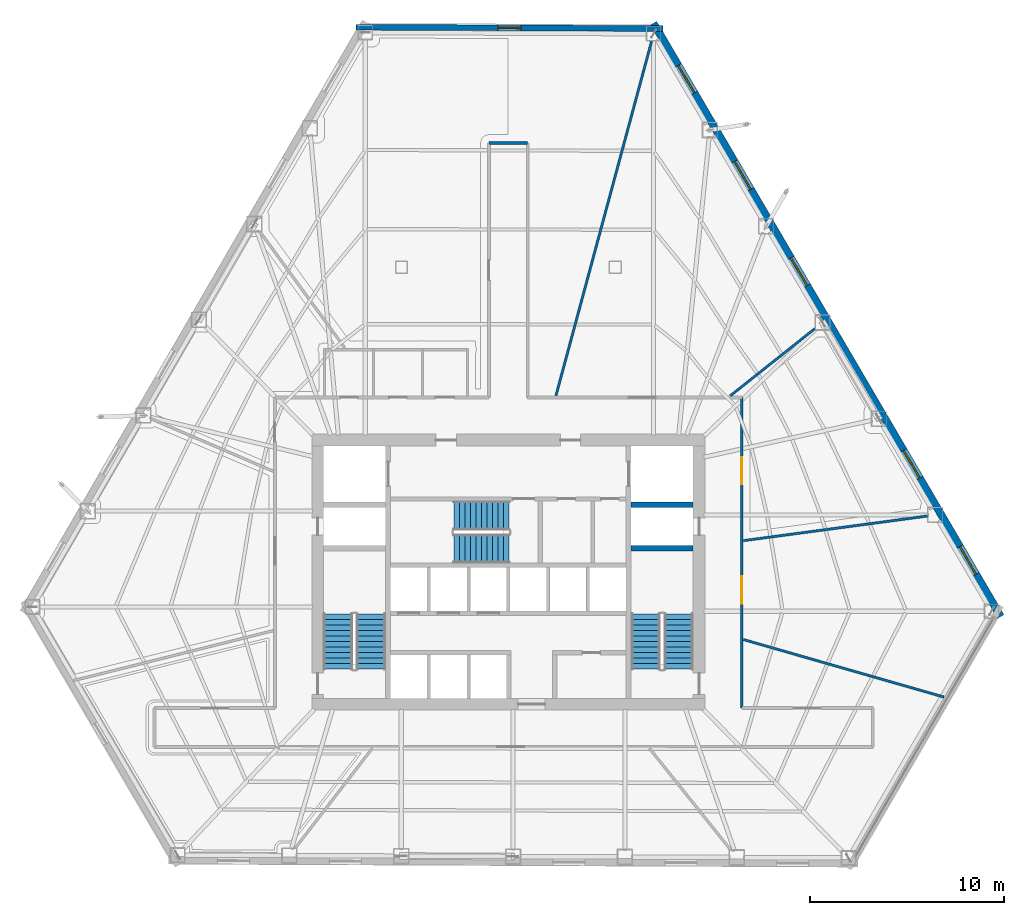
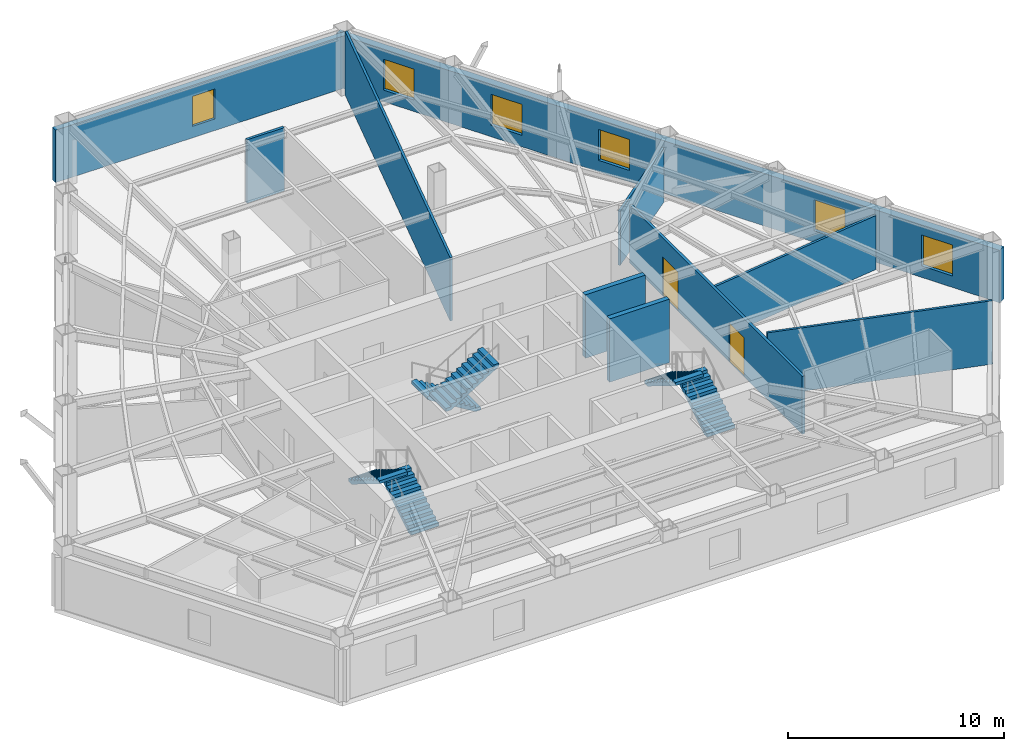
# One storey, part 11 of 14: 10 walls, 6 stair flights, 6 windows, 2 doors, 8 openings, 3 elements without a shape of their own.
"""IFC4 building model written with IfcOpenShell, lengths in metres."""

from ifc_helpers import new_model, si_unit, direction, frame, frame_2d, origin, place, context, subcontext, project, spatial, polyline, rectangle, outline, extrude, material, layer, layer_set, type_object, element, fill, aggregate, save


model = new_model("IFC4")

# Units and contexts
model_context = context("Model", 3, precision=1e-05, world=origin(), true_north=direction((0.0, 1.0)))
body_context = subcontext(model_context, "Body", "Model", "MODEL_VIEW")
ifc_project = project(units=[si_unit("LENGTHUNIT", "METRE"), si_unit("AREAUNIT", "SQUARE_METRE"), si_unit("VOLUMEUNIT", "CUBIC_METRE"), si_unit("PLANEANGLEUNIT", "RADIAN"), si_unit("MASSUNIT", "GRAM", prefix="KILO")], contexts=[model_context])

# Site, building, storey
site_placement = place(None, origin())
site = spatial("IfcSite", under=ifc_project, at=site_placement, CompositionType="ELEMENT")
building_placement = place(site_placement, origin())
building = spatial("IfcBuilding", under=site, at=building_placement, Name="Kavelnor Concourse Tower", CompositionType="ELEMENT")
storey_placement = place(building_placement, frame((0.0, 0.0, 52.199951171875)))
storey = spatial("IfcBuildingStorey", under=building, at=storey_placement, Name="L13", CompositionType="ELEMENT", Elevation=52.199951171875)

# Wall, opening, window
ifc_material_1 = material(Name="Buff ironspot clay face brick masonry", Category="masonry")
ifc_layer_1 = layer(ifc_material_1, 0.300048828125, Name="Buff ironspot clay face brick masonry")
ifc_layer_set_1 = layer_set([ifc_layer_1], Name="Buff ironspot clay face brick masonry")
wall_type_1 = type_object("IfcWallType", Name="WL-EXT-BUFF-BRICK-FOLD-300", PredefinedType="STANDARD", material=ifc_layer_set_1)
wall_1_placement = place(storey_placement, frame((30.1572265625, 44.157470703125, 0.0), z_axis=(0.0, 0.0, 1.0), x_axis=(0.999990705999, -0.004311370487, 0.0)))
wall_1 = element("IfcWall", 1, at=wall_1_placement, inside=storey, type_object=wall_type_1, Name="L13 Exterior Brick Facade Wall E0", PredefinedType="STANDARD", context=body_context, shape_type="SweptSolid", body=[
    extrude(rectangle(XDim=15.799072265625, YDim=0.300048828125, at=frame_2d((7.8994140625, 0.0))), origin(), (0.0, 0.0, 1.0), 2.969970703125),
])
opening_1_placement = place(wall_1_placement, frame((7.299560546875, 0.0, 0.64990234375)))
opening_1 = element("IfcOpeningElement", 2, at=opening_1_placement, cuts=wall_1, Name="Opening W-05", PredefinedType="OPENING", context=body_context, shape_type="SweptSolid", body=[
    extrude(rectangle(XDim=1.199951171875, YDim=1.699951171875, at=frame_2d((0.60009765625, 0.85009765625))), frame((0.0, 0.16015625, 0.0), z_axis=(0.0, -1.0, 0.0), x_axis=(1.0, 0.0, 0.0)), (0.0, 0.0, 1.0), 0.320068359375),
])
ifc_material_2 = material(Name="Double low-E argon insulated glazing", Category="glass")
window_type_1 = type_object("IfcWindowType", Name="WIN-FOLD-1200", PartitioningType="SINGLE_PANEL", PredefinedType="WINDOW", material=ifc_material_2)
window_1_placement = place(opening_1_placement, origin())
window_1 = element("IfcWindow", 3, at=window_1_placement, inside=storey, type_object=window_type_1, Name="L13 Chamfer-Fold Facet Window C0", OverallHeight=1.699951171875, OverallWidth=1.199951171875, PartitioningType="SINGLE_PANEL", PredefinedType="WINDOW", context=body_context, shape_type="SweptSolid", body=[
    extrude(rectangle(XDim=1.199951171875, YDim=1.699951171875, at=frame_2d((0.60009765625, 0.85009765625))), frame((0.0, 0.030029296875, 0.0), z_axis=(0.0, -1.0, 0.0), x_axis=(1.0, 0.0, 0.0)), (0.0, 0.0, 1.0), 0.06005859375),
])
fill(opening_1, window_1)

# Wall, openings, windows
ifc_material_3 = material(Name="Red-ochre clay face brick masonry", Category="masonry")
ifc_layer_2 = layer(ifc_material_3, 0.3798828125, Name="Red-ochre clay face brick masonry")
ifc_layer_set_2 = layer_set([ifc_layer_2], Name="Red-ochre clay face brick masonry")
wall_type_2 = type_object("IfcWallType", Name="WL-EXT-RED-BRICK-PIER-380", PredefinedType="STANDARD", material=ifc_layer_set_2)
wall_2_placement = place(storey_placement, frame((45.474609375, 44.36669921875, 0.0), z_axis=(0.0, 0.0, 1.0), x_axis=(0.505110430219, -0.863054722068, 0.0)))
wall_2 = element("IfcWall", 4, at=wall_2_placement, inside=storey, type_object=wall_type_2, Name="L13 Exterior Brick Facade Wall E5", PredefinedType="STANDARD", context=body_context, shape_type="SweptSolid", body=[
    extrude(rectangle(XDim=35.4052734375, YDim=0.3798828125, at=frame_2d((17.70263671875, 0.0))), origin(), (0.0, 0.0, 1.0), 2.969970703125),
])
opening_2_placement = place(wall_2_placement, frame((31.229736328125, 0.0, 0.64990234375)))
opening_2 = element("IfcOpeningElement", 5, at=opening_2_placement, cuts=wall_2, Name="Opening W-01", PredefinedType="OPENING", context=body_context, shape_type="SweptSolid", body=[
    extrude(rectangle(XDim=1.64990234375, YDim=1.75, at=frame_2d((0.824951171875, 0.875))), frame((0.0, 0.199951171875, 0.0), z_axis=(0.0, -1.0, 0.0), x_axis=(1.0, 0.0, 0.0)), (0.0, 0.0, 1.0), 0.39990234375),
])
opening_3_placement = place(wall_2_placement, frame((25.48779296875, 0.0, 0.64990234375)))
opening_3 = element("IfcOpeningElement", 6, at=opening_3_placement, cuts=wall_2, Name="Opening W-01", PredefinedType="OPENING", context=body_context, shape_type="SweptSolid", body=[
    extrude(rectangle(XDim=1.64990234375, YDim=1.75, at=frame_2d((0.824951171875, 0.875))), frame((0.0, 0.199951171875, 0.0), z_axis=(0.0, -1.0, 0.0), x_axis=(1.0, 0.0, 0.0)), (0.0, 0.0, 1.0), 0.39990234375),
])
opening_4_placement = place(wall_2_placement, frame((14.00390625, 0.0, 0.64990234375)))
opening_4 = element("IfcOpeningElement", 7, at=opening_4_placement, cuts=wall_2, Name="Opening W-01", PredefinedType="OPENING", context=body_context, shape_type="SweptSolid", body=[
    extrude(rectangle(XDim=1.64990234375, YDim=1.75, at=frame_2d((0.824951171875, 0.875))), frame((0.0, 0.199951171875, 0.0), z_axis=(0.0, -1.0, 0.0), x_axis=(1.0, 0.0, 0.0)), (0.0, 0.0, 1.0), 0.39990234375),
])
opening_5_placement = place(wall_2_placement, frame((8.26171875, 0.0, 0.64990234375)))
opening_5 = element("IfcOpeningElement", 8, at=opening_5_placement, cuts=wall_2, Name="Opening W-01", PredefinedType="OPENING", context=body_context, shape_type="SweptSolid", body=[
    extrude(rectangle(XDim=1.64990234375, YDim=1.75, at=frame_2d((0.824951171875, 0.875))), frame((0.0, 0.199951171875, 0.0), z_axis=(0.0, -1.0, 0.0), x_axis=(1.0, 0.0, 0.0)), (0.0, 0.0, 1.0), 0.39990234375),
])
opening_6_placement = place(wall_2_placement, frame((2.52001953125, 0.0, 0.64990234375)))
opening_6 = element("IfcOpeningElement", 9, at=opening_6_placement, cuts=wall_2, Name="Opening W-01", PredefinedType="OPENING", context=body_context, shape_type="SweptSolid", body=[
    extrude(rectangle(XDim=1.64990234375, YDim=1.75, at=frame_2d((0.824951171875, 0.875))), frame((0.0, 0.199951171875, 0.0), z_axis=(0.0, -1.0, 0.0), x_axis=(1.0, 0.0, 0.0)), (0.0, 0.0, 1.0), 0.39990234375),
])
window_type_2 = type_object("IfcWindowType", Name="WIN-PIER-Z1-1800", PartitioningType="SINGLE_PANEL", PredefinedType="WINDOW", material=ifc_material_2)
window_2_placement = place(opening_2_placement, origin())
window_2 = element("IfcWindow", 10, at=window_2_placement, inside=storey, type_object=window_type_2, Name="L13 Deep-Set Brick Pier Window F2-B0", OverallHeight=1.75, OverallWidth=1.64990234375, PartitioningType="SINGLE_PANEL", PredefinedType="WINDOW", context=body_context, shape_type="SweptSolid", body=[
    extrude(rectangle(XDim=1.64990234375, YDim=1.75, at=frame_2d((0.824951171875, 0.875))), frame((0.0, 0.030029296875, 0.0), z_axis=(0.0, -1.0, 0.0), x_axis=(1.0, 0.0, 0.0)), (0.0, 0.0, 1.0), 0.06005859375),
])
fill(opening_2, window_2)
window_3_placement = place(opening_3_placement, origin())
window_3 = element("IfcWindow", 11, at=window_3_placement, inside=storey, type_object=window_type_2, Name="L13 Deep-Set Brick Pier Window F2-B1", OverallHeight=1.75, OverallWidth=1.64990234375, PartitioningType="SINGLE_PANEL", PredefinedType="WINDOW", context=body_context, shape_type="SweptSolid", body=[
    extrude(rectangle(XDim=1.64990234375, YDim=1.75, at=frame_2d((0.824951171875, 0.875))), frame((0.0, 0.030029296875, 0.0), z_axis=(0.0, -1.0, 0.0), x_axis=(1.0, 0.0, 0.0)), (0.0, 0.0, 1.0), 0.06005859375),
])
fill(opening_3, window_3)
window_4_placement = place(opening_4_placement, origin())
window_4 = element("IfcWindow", 12, at=window_4_placement, inside=storey, type_object=window_type_2, Name="L13 Deep-Set Brick Pier Window F2-B3", OverallHeight=1.75, OverallWidth=1.64990234375, PartitioningType="SINGLE_PANEL", PredefinedType="WINDOW", context=body_context, shape_type="SweptSolid", body=[
    extrude(rectangle(XDim=1.64990234375, YDim=1.75, at=frame_2d((0.824951171875, 0.875))), frame((0.0, 0.030029296875, 0.0), z_axis=(0.0, -1.0, 0.0), x_axis=(1.0, 0.0, 0.0)), (0.0, 0.0, 1.0), 0.06005859375),
])
fill(opening_4, window_4)
window_5_placement = place(opening_5_placement, origin())
window_5 = element("IfcWindow", 13, at=window_5_placement, inside=storey, type_object=window_type_2, Name="L13 Deep-Set Brick Pier Window F2-B4", OverallHeight=1.75, OverallWidth=1.64990234375, PartitioningType="SINGLE_PANEL", PredefinedType="WINDOW", context=body_context, shape_type="SweptSolid", body=[
    extrude(rectangle(XDim=1.64990234375, YDim=1.75, at=frame_2d((0.824951171875, 0.875))), frame((0.0, 0.030029296875, 0.0), z_axis=(0.0, -1.0, 0.0), x_axis=(1.0, 0.0, 0.0)), (0.0, 0.0, 1.0), 0.06005859375),
])
fill(opening_5, window_5)
window_6_placement = place(opening_6_placement, origin())
window_6 = element("IfcWindow", 14, at=window_6_placement, inside=storey, type_object=window_type_2, Name="L13 Deep-Set Brick Pier Window F2-B5", OverallHeight=1.75, OverallWidth=1.64990234375, PartitioningType="SINGLE_PANEL", PredefinedType="WINDOW", context=body_context, shape_type="SweptSolid", body=[
    extrude(rectangle(XDim=1.64990234375, YDim=1.75, at=frame_2d((0.824951171875, 0.875))), frame((0.0, 0.030029296875, 0.0), z_axis=(0.0, -1.0, 0.0), x_axis=(1.0, 0.0, 0.0)), (0.0, 0.0, 1.0), 0.06005859375),
])
fill(opening_6, window_6)

# Wall
ifc_material_4 = material(Name="Gypsum plasterboard on light-gauge steel studs", Category="steel")
ifc_layer_3 = layer(ifc_material_4, 0.14501953125, Name="Gypsum plasterboard on light-gauge steel studs")
ifc_layer_set_3 = layer_set([ifc_layer_3], Name="Gypsum plasterboard on light-gauge steel studs")
wall_type_3 = type_object("IfcWallType", Name="WL-INT-CORR-145", PredefinedType="PARTITIONING", material=ifc_layer_set_3)
wall_3_placement = place(storey_placement, frame((37.0, 38.199951171875, 0.0), z_axis=(0.0, 0.0, 1.0), x_axis=(1.0, 0.0, 0.0)))
element("IfcWall", 15, at=wall_3_placement, inside=storey, type_object=wall_type_3, Name="L13 Corridor Wall WL-L13-CR-05", PredefinedType="PARTITIONING", context=body_context, shape_type="SweptSolid", body=[
    extrude(rectangle(XDim=2.0, YDim=0.14501953125, at=frame_2d((1.0, 0.0))), origin(), (0.0, 0.0, 1.0), 3.590087890625),
])

# Wall, openings, doors
wall_4_placement = place(storey_placement, frame((50.02001953125, 25.10009765625, 0.0), z_axis=(0.0, 0.0, 1.0), x_axis=(0.0, -1.0, 0.0)))
wall_4 = element("IfcWall", 16, at=wall_4_placement, inside=storey, type_object=wall_type_3, Name="L13 Corridor Wall WL-L13-CR-08", PredefinedType="PARTITIONING", context=body_context, shape_type="SweptSolid", body=[
    extrude(rectangle(XDim=16.0, YDim=0.14501953125, at=frame_2d((8.0, 0.0))), origin(), (0.0, 0.0, 1.0), 3.278076171875),
])
opening_7_placement = place(wall_4_placement, frame((3.0751953125, 0.0, 0.0)))
opening_7 = element("IfcOpeningElement", 17, at=opening_7_placement, cuts=wall_4, Name="Opening SD-140", PredefinedType="OPENING", context=body_context, shape_type="SweptSolid", body=[
    extrude(rectangle(XDim=1.39990234375, YDim=2.199951171875, at=frame_2d((0.699951171875, 1.10009765625))), frame((0.0, 0.08251953125, 0.0), z_axis=(0.0, -1.0, 0.0), x_axis=(1.0, 0.0, 0.0)), (0.0, 0.0, 1.0), 0.1650390625),
])
opening_8_placement = place(wall_4_placement, frame((9.2236328125, 0.0, 0.0)))
opening_8 = element("IfcOpeningElement", 18, at=opening_8_placement, cuts=wall_4, Name="Opening SD-140", PredefinedType="OPENING", context=body_context, shape_type="SweptSolid", body=[
    extrude(rectangle(XDim=1.39990234375, YDim=2.199951171875, at=frame_2d((0.699951171875, 1.10009765625))), frame((0.0, 0.08251953125, 0.0), z_axis=(0.0, -1.0, 0.0), x_axis=(1.0, 0.0, 0.0)), (0.0, 0.0, 1.0), 0.1650390625),
])
ifc_material_5 = material(Name="Solid-core hardwood timber", Category="wood")
door_type = type_object("IfcDoorType", Name="DR-SUITE-ENTRY-1400", OperationType="NOTDEFINED", PredefinedType="DOOR", material=ifc_material_5)
door_1_placement = place(opening_7_placement, origin())
door_1 = element("IfcDoor", 19, at=door_1_placement, inside=storey, type_object=door_type, Name="L13 Technical Reference Library 01 Door", OperationType="SINGLE_SWING_LEFT", OverallHeight=2.199951171875, OverallWidth=1.39990234375, PredefinedType="DOOR", context=body_context, shape_type="SweptSolid", body=[
    extrude(rectangle(XDim=1.39990234375, YDim=2.199951171875, at=frame_2d((0.699951171875, 1.10009765625))), frame((0.0, 0.02490234375, 0.0), z_axis=(0.0, -1.0, 0.0), x_axis=(1.0, 0.0, 0.0)), (0.0, 0.0, 1.0), 0.050048828125),
])
fill(opening_7, door_1)
door_2_placement = place(opening_8_placement, origin())
door_2 = element("IfcDoor", 20, at=door_2_placement, inside=storey, type_object=door_type, Name="L13 Client Concierge 09 Door", OperationType="SINGLE_SWING_LEFT", OverallHeight=2.199951171875, OverallWidth=1.39990234375, PredefinedType="DOOR", context=body_context, shape_type="SweptSolid", body=[
    extrude(rectangle(XDim=1.39990234375, YDim=2.199951171875, at=frame_2d((0.699951171875, 1.10009765625))), frame((0.0, 0.02490234375, 0.0), z_axis=(0.0, -1.0, 0.0), x_axis=(1.0, 0.0, 0.0)), (0.0, 0.0, 1.0), 0.050048828125),
])
fill(opening_8, door_2)

# Walls
ifc_layer_4 = layer(ifc_material_4, 0.125, Name="Gypsum plasterboard on light-gauge steel studs")
ifc_layer_set_4 = layer_set([ifc_layer_4], Name="Gypsum plasterboard on light-gauge steel studs")
wall_type_4 = type_object("IfcWallType", Name="WL-INT-SUITE-125", PredefinedType="PARTITIONING", material=ifc_layer_set_4)
wall_5_placement = place(storey_placement, frame((50.1005859375, 17.72021484375, 0.0), z_axis=(0.0, 0.0, 1.0), x_axis=(0.991157941882, 0.132687355256, 0.0)))
element("IfcWall", 21, at=wall_5_placement, inside=storey, type_object=wall_type_4, Name="L13 Radial Suite Partition 01", PredefinedType="PARTITIONING", context=body_context, shape_type="SweptSolid", body=[
    extrude(rectangle(XDim=9.55859375, YDim=0.125, at=frame_2d((4.779296875, 0.0))), origin(), (0.0, 0.0, 1.0), 3.05712890625),
])
wall_6_placement = place(storey_placement, frame((49.430908203125, 25.180419921875, 0.0), z_axis=(0.0, 0.0, 1.0), x_axis=(0.783015635843, 0.622002020917, 0.0)))
element("IfcWall", 22, at=wall_6_placement, inside=storey, type_object=wall_type_4, Name="L13 Radial Suite Partition 02", PredefinedType="PARTITIONING", context=body_context, shape_type="SweptSolid", body=[
    extrude(rectangle(XDim=5.546630859375, YDim=0.125, at=frame_2d((2.7734375, 0.0))), origin(), (0.0, 0.0, 1.0), 3.05712890625),
])
wall_7_placement = place(storey_placement, frame((40.450439453125, 25.180419921875, 0.0), z_axis=(0.0, 0.0, 1.0), x_axis=(0.26055415647, 0.965459233498, 0.0)))
element("IfcWall", 23, at=wall_7_placement, inside=storey, type_object=wall_type_4, Name="L13 Radial Suite Partition 03", PredefinedType="PARTITIONING", context=body_context, shape_type="SweptSolid", body=[
    extrude(rectangle(XDim=18.906005859375, YDim=0.125, at=frame_2d((9.453125, 0.0))), origin(), (0.0, 0.0, 1.0), 3.590087890625),
])
wall_8_placement = place(storey_placement, frame((50.1005859375, 12.630126953125, 0.0), z_axis=(0.0, 0.0, 1.0), x_axis=(0.961261200845, -0.275639082405, 0.0)))
element("IfcWall", 24, at=wall_8_placement, inside=storey, type_object=wall_type_4, Name="L13 Radial Suite Partition 09", PredefinedType="PARTITIONING", context=body_context, shape_type="SweptSolid", body=[
    extrude(rectangle(XDim=10.747314453125, YDim=0.125, at=frame_2d((5.37353515625, 0.0))), origin(), (0.0, 0.0, 1.0), 3.590087890625),
])
ifc_material_6 = material(Name="Concrete C50/60", Category="concrete")
ifc_layer_5 = layer(ifc_material_6, 0.260009765625, Name="Concrete C50/60")
ifc_layer_set_5 = layer_set([ifc_layer_5], Name="Concrete C50/60")
wall_type_5 = type_object("IfcWallType", Name="WL-SHAFT-260", PredefinedType="SHEAR", material=ifc_layer_set_5)
for number, where, z_axis, x_axis, name in (
    (25, (44.320068359375, 17.330078125, 0.0), (0.0, 0.0, 1.0), (1.0, 0.0, 0.0), "L13 Stair ST2 North Shaft Wall"),
    (26, (44.320068359375, 19.570068359375, 0.0), (0.0, 0.0, 1.0), (1.0, 0.0, 0.0), "L13 Emergency Lift FL2 South Shaft Wall"),
):
    element("IfcWall", number, at=place(storey_placement, frame(where, z_axis=z_axis, x_axis=x_axis)), inside=storey, type_object=wall_type_5, Name=name, PredefinedType="SHEAR", context=body_context, shape_type="SweptSolid", body=[
        extrude(rectangle(XDim=3.199951171875, YDim=0.260009765625, at=frame_2d((1.60009765625, 0.0))), origin(), (0.0, 0.0, 1.0), 3.590087890625),
    ])

# Stair, stair flights
ifc_material_7 = material(Name="Concrete C40/50", Category="concrete")
stair_type = type_object("IfcStairType", Name="STR-CORE-1500", PredefinedType="HALF_TURN_STAIR", material=ifc_material_7)
stair_1_placement = place(storey_placement, origin())
stair_1 = element("IfcStair", 27, at=stair_1_placement, inside=storey, type_object=stair_type, Name="L13 ST1", PredefinedType="HALF_TURN_STAIR")
stair_flight_type = type_object("IfcStairFlightType", Name="STR-FLIGHT-1500", PredefinedType="STRAIGHT", material=ifc_material_7)
stair_flight_1_placement = place(storey_placement, frame((30.929931640625, 11.10009765625, 0.0), z_axis=(0.0, 0.0, 1.0), x_axis=(0.0, 1.0, 0.0)))
stair_flight_1 = element("IfcStairFlight", 28, at=stair_flight_1_placement, type_object=stair_flight_type, Name="ST1 flight 1", NumberOfRisers=11, NumberOfTreads=10, PredefinedType="STRAIGHT", RiserHeight=0.175, TreadLength=0.285, context=body_context, shape_type="SweptSolid", body=[
    extrude(outline(polyline([(0.0, 0.0), (0.0, 0.175048828125), (0.284912109375, 0.175048828125), (0.284912109375, 0.35009765625), (0.570068359375, 0.35009765625), (0.570068359375, 0.52490234375), (0.85498046875, 0.52490234375), (0.85498046875, 0.699951171875), (1.139892578125, 0.699951171875), (1.139892578125, 0.875), (1.425048828125, 0.875), (1.425048828125, 1.050048828125), (1.7099609375, 1.050048828125), (1.7099609375, 1.22509765625), (1.9951171875, 1.22509765625), (1.9951171875, 1.39990234375), (2.280029296875, 1.39990234375), (2.280029296875, 1.574951171875), (2.56494140625, 1.574951171875), (2.56494140625, 1.75), (2.85009765625, 1.75), (2.85009765625, 1.925048828125), (2.85009765625, 1.573974609375), (0.286376953125, 0.0), (0.0, 0.0)])), frame((0.0, 0.75, 0.0), z_axis=(0.0, -1.0, 0.0), x_axis=(1.0, 0.0, 0.0)), (0.0, 0.0, 1.0), 1.5),
])
stair_flight_2_placement = place(storey_placement, frame((29.22998046875, 13.949951171875, 1.925048828125), z_axis=(0.0, 0.0, 1.0), x_axis=(0.0, -1.0, 0.0)))
stair_flight_2 = element("IfcStairFlight", 29, at=stair_flight_2_placement, type_object=stair_flight_type, Name="ST1 flight 2", NumberOfRisers=11, NumberOfTreads=10, PredefinedType="STRAIGHT", RiserHeight=0.175, TreadLength=0.285, context=body_context, shape_type="SweptSolid", body=[
    extrude(outline(polyline([(0.0, 0.0), (0.0, 0.175048828125), (0.284912109375, 0.175048828125), (0.284912109375, 0.35009765625), (0.570068359375, 0.35009765625), (0.570068359375, 0.52490234375), (0.85498046875, 0.52490234375), (0.85498046875, 0.699951171875), (1.139892578125, 0.699951171875), (1.139892578125, 0.875), (1.425048828125, 0.875), (1.425048828125, 1.050048828125), (1.7099609375, 1.050048828125), (1.7099609375, 1.22509765625), (1.9951171875, 1.22509765625), (1.9951171875, 1.39990234375), (2.280029296875, 1.39990234375), (2.280029296875, 1.574951171875), (2.56494140625, 1.574951171875), (2.56494140625, 1.75), (2.85009765625, 1.75), (2.85009765625, 1.925048828125), (2.85009765625, 1.573974609375), (0.286376953125, 0.0), (0.0, 0.0)])), frame((0.0, 0.75, 0.0), z_axis=(0.0, -1.0, 0.0), x_axis=(1.0, 0.0, 0.0)), (0.0, 0.0, 1.0), 1.5),
])
aggregate(stair_1, [stair_flight_1, stair_flight_2])

stair_2_placement = place(storey_placement, origin())
stair_2 = element("IfcStair", 30, at=stair_2_placement, inside=storey, type_object=stair_type, Name="L13 ST2", PredefinedType="HALF_TURN_STAIR")
stair_flight_3_placement = place(storey_placement, frame((46.77001953125, 11.10009765625, 0.0), z_axis=(0.0, 0.0, 1.0), x_axis=(0.0, 1.0, 0.0)))
stair_flight_3 = element("IfcStairFlight", 31, at=stair_flight_3_placement, type_object=stair_flight_type, Name="ST2 flight 1", NumberOfRisers=11, NumberOfTreads=10, PredefinedType="STRAIGHT", RiserHeight=0.175, TreadLength=0.285, context=body_context, shape_type="SweptSolid", body=[
    extrude(outline(polyline([(0.0, 0.0), (0.0, 0.175048828125), (0.284912109375, 0.175048828125), (0.284912109375, 0.35009765625), (0.570068359375, 0.35009765625), (0.570068359375, 0.52490234375), (0.85498046875, 0.52490234375), (0.85498046875, 0.699951171875), (1.139892578125, 0.699951171875), (1.139892578125, 0.875), (1.425048828125, 0.875), (1.425048828125, 1.050048828125), (1.7099609375, 1.050048828125), (1.7099609375, 1.22509765625), (1.9951171875, 1.22509765625), (1.9951171875, 1.39990234375), (2.280029296875, 1.39990234375), (2.280029296875, 1.574951171875), (2.56494140625, 1.574951171875), (2.56494140625, 1.75), (2.85009765625, 1.75), (2.85009765625, 1.925048828125), (2.85009765625, 1.573974609375), (0.286376953125, 0.0), (0.0, 0.0)])), frame((0.0, 0.75, 0.0), z_axis=(0.0, -1.0, 0.0), x_axis=(1.0, 0.0, 0.0)), (0.0, 0.0, 1.0), 1.5),
])
stair_flight_4_placement = place(storey_placement, frame((45.070068359375, 13.949951171875, 1.925048828125), z_axis=(0.0, 0.0, 1.0), x_axis=(0.0, -1.0, 0.0)))
stair_flight_4 = element("IfcStairFlight", 32, at=stair_flight_4_placement, type_object=stair_flight_type, Name="ST2 flight 2", NumberOfRisers=11, NumberOfTreads=10, PredefinedType="STRAIGHT", RiserHeight=0.175, TreadLength=0.285, context=body_context, shape_type="SweptSolid", body=[
    extrude(outline(polyline([(0.0, 0.0), (0.0, 0.175048828125), (0.284912109375, 0.175048828125), (0.284912109375, 0.35009765625), (0.570068359375, 0.35009765625), (0.570068359375, 0.52490234375), (0.85498046875, 0.52490234375), (0.85498046875, 0.699951171875), (1.139892578125, 0.699951171875), (1.139892578125, 0.875), (1.425048828125, 0.875), (1.425048828125, 1.050048828125), (1.7099609375, 1.050048828125), (1.7099609375, 1.22509765625), (1.9951171875, 1.22509765625), (1.9951171875, 1.39990234375), (2.280029296875, 1.39990234375), (2.280029296875, 1.574951171875), (2.56494140625, 1.574951171875), (2.56494140625, 1.75), (2.85009765625, 1.75), (2.85009765625, 1.925048828125), (2.85009765625, 1.573974609375), (0.286376953125, 0.0), (0.0, 0.0)])), frame((0.0, 0.75, 0.0), z_axis=(0.0, -1.0, 0.0), x_axis=(1.0, 0.0, 0.0)), (0.0, 0.0, 1.0), 1.5),
])
aggregate(stair_2, [stair_flight_3, stair_flight_4])

stair_3_placement = place(storey_placement, origin())
stair_3 = element("IfcStair", 33, at=stair_3_placement, inside=storey, type_object=stair_type, Name="L13 ST3", PredefinedType="HALF_TURN_STAIR")
stair_flight_5_placement = place(storey_placement, frame((38.0400390625, 19.010009765625, 0.0), z_axis=(0.0, 0.0, 1.0), x_axis=(-1.0, 0.0, 0.0)))
stair_flight_5 = element("IfcStairFlight", 34, at=stair_flight_5_placement, type_object=stair_flight_type, Name="ST3 flight 1", NumberOfRisers=11, NumberOfTreads=10, PredefinedType="STRAIGHT", RiserHeight=0.175, TreadLength=0.285, context=body_context, shape_type="SweptSolid", body=[
    extrude(outline(polyline([(0.0, 0.0), (0.0, 0.175048828125), (0.284912109375, 0.175048828125), (0.284912109375, 0.35009765625), (0.570068359375, 0.35009765625), (0.570068359375, 0.52490234375), (0.85498046875, 0.52490234375), (0.85498046875, 0.699951171875), (1.139892578125, 0.699951171875), (1.139892578125, 0.875), (1.425048828125, 0.875), (1.425048828125, 1.050048828125), (1.7099609375, 1.050048828125), (1.7099609375, 1.22509765625), (1.9951171875, 1.22509765625), (1.9951171875, 1.39990234375), (2.280029296875, 1.39990234375), (2.280029296875, 1.574951171875), (2.56494140625, 1.574951171875), (2.56494140625, 1.75), (2.85009765625, 1.75), (2.85009765625, 1.925048828125), (2.85009765625, 1.573974609375), (0.286376953125, 0.0), (0.0, 0.0)])), frame((0.0, 0.75, 0.0), z_axis=(0.0, -1.0, 0.0), x_axis=(1.0, 0.0, 0.0)), (0.0, 0.0, 1.0), 1.5),
])
stair_flight_6_placement = place(storey_placement, frame((35.18994140625, 17.31005859375, 1.925048828125), z_axis=(0.0, 0.0, 1.0), x_axis=(1.0, 0.0, 0.0)))
stair_flight_6 = element("IfcStairFlight", 35, at=stair_flight_6_placement, type_object=stair_flight_type, Name="ST3 flight 2", NumberOfRisers=11, NumberOfTreads=10, PredefinedType="STRAIGHT", RiserHeight=0.175, TreadLength=0.285, context=body_context, shape_type="SweptSolid", body=[
    extrude(outline(polyline([(0.0, 0.0), (0.0, 0.175048828125), (0.284912109375, 0.175048828125), (0.284912109375, 0.35009765625), (0.570068359375, 0.35009765625), (0.570068359375, 0.52490234375), (0.85498046875, 0.52490234375), (0.85498046875, 0.699951171875), (1.139892578125, 0.699951171875), (1.139892578125, 0.875), (1.425048828125, 0.875), (1.425048828125, 1.050048828125), (1.7099609375, 1.050048828125), (1.7099609375, 1.22509765625), (1.9951171875, 1.22509765625), (1.9951171875, 1.39990234375), (2.280029296875, 1.39990234375), (2.280029296875, 1.574951171875), (2.56494140625, 1.574951171875), (2.56494140625, 1.75), (2.85009765625, 1.75), (2.85009765625, 1.925048828125), (2.85009765625, 1.573974609375), (0.286376953125, 0.0), (0.0, 0.0)])), frame((0.0, 0.75, 0.0), z_axis=(0.0, -1.0, 0.0), x_axis=(1.0, 0.0, 0.0)), (0.0, 0.0, 1.0), 1.5),
])
aggregate(stair_3, [stair_flight_5, stair_flight_6])

save(model, "model.ifc")
